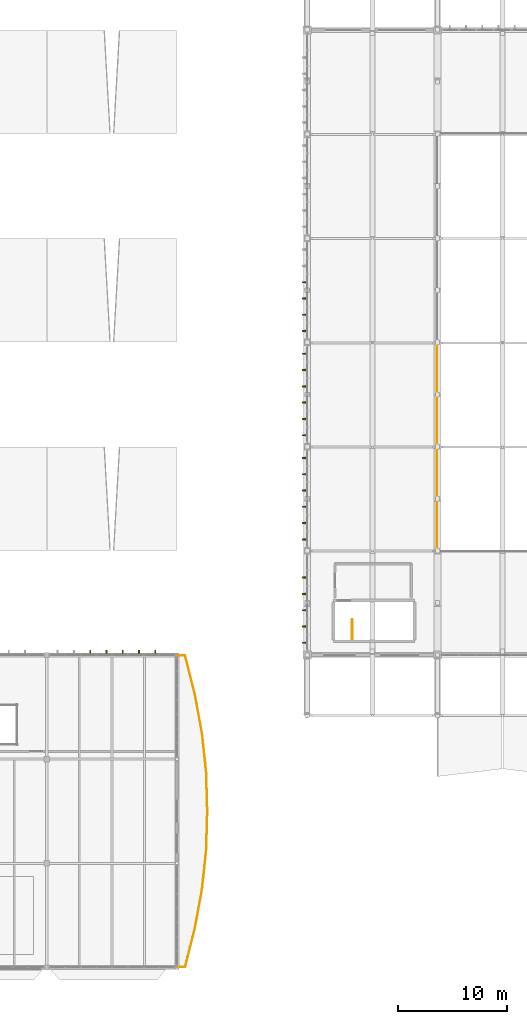
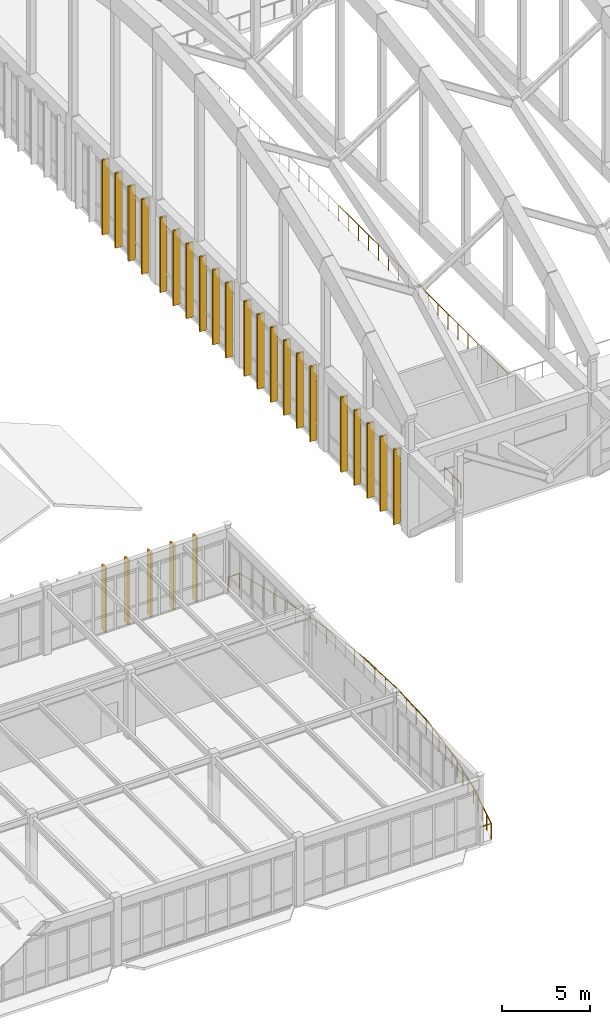
# One storey, part 226 of 236: 26 shading devices, 12 railings.
"""IFC4 building model written with IfcOpenShell, lengths in metres."""

import ifcopenshell
import ifcopenshell.guid

model = None  # the IFC model being written
_history = None  # IfcOwnerHistory: only IFC2X3 demands one
_inside = {}  # id of a spatial element -> (the spatial element, [elements in it])
_under = {}  # id of a project, library or spatial element -> (it, [spatial elements below it])
_declared = {}  # id of a project -> (the project, [libraries it declares])
_typed = {}  # id of a type object -> (the type object, [elements of that type])
_made_of = {}  # id of a material, layer set ... -> (it, [elements and type objects made of it])


def new_model(schema):
    """Start an empty IFC model of exactly this schema.

    Asked for "IFC4X3", IfcOpenShell would pick the latest addendum, in which some entities
    have other attributes; the version numbers below select the first issue.
    IFC2X3 requires an IfcOwnerHistory on every rooted entity: one is made here for all.
    """
    global model, _history
    if schema == "IFC4X3":
        model = ifcopenshell.file(schema_version=(4, 3, 0, 0))
    else:
        model = ifcopenshell.file(schema=schema)
    _inside.clear()
    _under.clear()
    _declared.clear()
    _typed.clear()
    _made_of.clear()
    _history = None
    if model.schema == "IFC2X3":
        org = make("IfcOrganization", Name="unknown")
        user = make(
            "IfcPersonAndOrganization",
            ThePerson=make("IfcPerson", FamilyName="unknown"),
            TheOrganization=org,
        )
        app = make(
            "IfcApplication",
            ApplicationDeveloper=org,
            Version="unknown",
            ApplicationFullName="unknown",
            ApplicationIdentifier="unknown",
        )
        _history = make(
            "IfcOwnerHistory",
            OwningUser=user,
            OwningApplication=app,
            ChangeAction="ADDED",
            CreationDate=0,
        )
    return model


def make(cls, **values):
    """One entity of the class cls with the attributes given. An attribute that is None is left unset."""
    return model.create_entity(
        cls, **{name: value for name, value in values.items() if value is not None}
    )


def rooted(cls, **values):
    """An entity with a GlobalId (a new one), such as an element, a storey or a relation."""
    return make(cls, GlobalId=ifcopenshell.guid.new(), OwnerHistory=_history, **values)


def si_unit(unit_type, name, prefix=None):
    """IfcSIUnit, for example si_unit("LENGTHUNIT", "METRE", prefix="MILLI")."""
    return make("IfcSIUnit", UnitType=unit_type, Prefix=prefix, Name=name)


def assignment(units):
    """IfcUnitAssignment: the units of a project."""
    return None if units is None else make("IfcUnitAssignment", Units=units)


def point(xyz):
    """IfcCartesianPoint."""
    return None if xyz is None else make("IfcCartesianPoint", Coordinates=xyz)


def direction(xyz):
    """IfcDirection."""
    return None if xyz is None else make("IfcDirection", DirectionRatios=xyz)


def frame(location, z_axis=None, x_axis=None):
    """IfcAxis2Placement3D, a coordinate frame: its origin and axes. An axis left out is left unset."""
    return make(
        "IfcAxis2Placement3D",
        Location=point(location),
        Axis=direction(z_axis),
        RefDirection=direction(x_axis),
    )


def frame_2d(location, x_axis=None):
    """IfcAxis2Placement2D, a coordinate frame in the plane: its origin and x axis."""
    return make(
        "IfcAxis2Placement2D", Location=point(location), RefDirection=direction(x_axis)
    )


def origin():
    """The frame at (0, 0, 0) with its axes left unset."""
    return frame((0.0, 0.0, 0.0))


def origin_2d():
    """The frame at (0, 0) in the plane with its x axis left unset."""
    return frame_2d((0.0, 0.0))


def place(relative_to, where):
    """IfcLocalPlacement: puts the frame where relative to a parent placement (None: the world)."""
    return make(
        "IfcLocalPlacement", PlacementRelTo=relative_to, RelativePlacement=where
    )


def context(
    kind, dimensions, precision=None, world=None, true_north=None, identifier=None
):
    """IfcGeometricRepresentationContext, for example the 3D "Model" context."""
    return make(
        "IfcGeometricRepresentationContext",
        ContextIdentifier=identifier,
        ContextType=kind,
        CoordinateSpaceDimension=dimensions,
        Precision=precision,
        WorldCoordinateSystem=world,
        TrueNorth=true_north,
    )


def subcontext(parent, identifier, kind, view, scale=None):
    """IfcGeometricRepresentationSubContext, for example "Body" below "Model"."""
    return make(
        "IfcGeometricRepresentationSubContext",
        ContextIdentifier=identifier,
        ContextType=kind,
        ParentContext=parent,
        TargetScale=scale,
        TargetView=view,
    )


def project(units=None, contexts=None):
    """IfcProject with its units and contexts."""
    return rooted(
        "IfcProject",
        Name="project",
        RepresentationContexts=contexts,
        UnitsInContext=assignment(units),
    )


def spatial(cls, under=None, at=None, **own):
    """A site, building, storey or space (cls), placed at a placement, below another one or the project."""
    s = rooted(cls, ObjectPlacement=at, **own)
    if under is not None:
        _under.setdefault(under.id(), (under, []))[1].append(s)
    return s


def profile(cls, at=None, kind="AREA", **sizes):
    """A parametric profile (cls). Its sizes go by their IFC names, for example OverallWidth=200.0."""
    return make(cls, ProfileType=kind, Position=at, **sizes)


def rectangle(**sizes):
    """IfcRectangleProfileDef."""
    return profile("IfcRectangleProfileDef", **sizes)


def circle(**sizes):
    """IfcCircleProfileDef."""
    return profile("IfcCircleProfileDef", **sizes)


def extrude(swept, where, along, depth):
    """IfcExtrudedAreaSolid: the profile swept, set in the frame where, extruded along a direction by depth."""
    return make(
        "IfcExtrudedAreaSolid",
        SweptArea=swept,
        Position=where,
        ExtrudedDirection=direction(along),
        Depth=depth,
    )


def shape(context_of_items, identifier, shape_type, items):
    """IfcShapeRepresentation: the items that make up one representation, for example the "Body"."""
    return make(
        "IfcShapeRepresentation",
        ContextOfItems=context_of_items,
        RepresentationIdentifier=identifier,
        RepresentationType=shape_type,
        Items=items,
    )


def material(Name=None, Category=None):
    """IfcMaterial."""
    return make("IfcMaterial", Name=Name, Category=Category)


def made_of(thing, what):
    """Note that an element or type object is made of a material, layer set ...; save() writes the relation."""
    if what is not None:
        _made_of.setdefault(what.id(), (what, []))[1].append(thing)
    return thing


def type_object(cls, material=None, **own):
    """A type object (cls), such as IfcWallType, which elements share."""
    return made_of(rooted(cls, **own), material)


def element(
    cls,
    number,
    at=None,
    inside=None,
    cuts=None,
    type_object=None,
    material=None,
    context=None,
    identifier="Body",
    shape_type=None,
    held_by="IfcProductDefinitionShape",
    body=None,
    shapes=None,
    **own,
):
    """One element of the class cls, such as IfcWall. Its Tag is "e" and its number.

    at: its placement. inside: the storey or other place that contains it. cuts: it is an
    opening in that element (IfcRelVoidsElement). A single representation is given by context,
    identifier, shape_type and body (its items); several are given by shapes. held_by: the class
    of the entity that holds the representations. save() writes the other relations.
    """
    e = rooted(cls, Tag="e%d" % number, ObjectPlacement=at, **own)
    if body is not None:
        shapes = [shape(context, identifier, shape_type, body)]
    if shapes is not None:
        e.Representation = make(held_by, Representations=shapes)
    if inside is not None:
        _inside.setdefault(inside.id(), (inside, []))[1].append(e)
    if cuts is not None:
        rooted(
            "IfcRelVoidsElement", RelatingBuildingElement=cuts, RelatedOpeningElement=e
        )
    if type_object is not None:
        _typed.setdefault(type_object.id(), (type_object, []))[1].append(e)
    return made_of(e, material)


def aggregate(whole, parts):
    """IfcRelAggregates: a whole, such as a stair, and the parts it consists of."""
    return rooted("IfcRelAggregates", RelatingObject=whole, RelatedObjects=parts)


def save(model, path):
    """Write the relations noted so far, then the file.

    IfcRelAggregates (storeys below a building ...), IfcRelContainedInSpatialStructure (elements
    in a storey), IfcRelDefinesByType, IfcRelAssociatesMaterial and IfcRelDeclares: one each for
    every whole, place, type object, material and project.
    """
    for whole, parts in _under.values():
        aggregate(whole, parts)
    for where, things in _inside.values():
        rooted(
            "IfcRelContainedInSpatialStructure",
            RelatedElements=things,
            RelatingStructure=where,
        )
    for kind, things in _typed.values():
        rooted("IfcRelDefinesByType", RelatedObjects=things, RelatingType=kind)
    for what, things in _made_of.values():
        rooted("IfcRelAssociatesMaterial", RelatedObjects=things, RelatingMaterial=what)
    for by, libraries in _declared.values():
        rooted("IfcRelDeclares", RelatingContext=by, RelatedDefinitions=libraries)
    model.write(path)


model = new_model("IFC4")

# Units and contexts
model_context = context("Model", 3, precision=1e-05, world=origin(), true_north=direction((0.0, 1.0)))
body_context = subcontext(model_context, "Body", "Model", "MODEL_VIEW")
ifc_project = project(units=[si_unit("LENGTHUNIT", "METRE"), si_unit("AREAUNIT", "SQUARE_METRE"), si_unit("VOLUMEUNIT", "CUBIC_METRE"), si_unit("PLANEANGLEUNIT", "RADIAN"), si_unit("MASSUNIT", "GRAM", prefix="KILO")], contexts=[model_context])

# Site, building, storey
site_placement = place(None, origin())
site = spatial("IfcSite", under=ifc_project, at=site_placement, CompositionType="ELEMENT")
building_placement = place(site_placement, origin())
building = spatial("IfcBuilding", under=site, at=building_placement, Name="Pandanus Reach Market Hall", CompositionType="ELEMENT")
storey_placement = place(building_placement, frame((0.0, 0.0, 5.39990234375)))
storey = spatial("IfcBuildingStorey", under=building, at=storey_placement, Name="L01", CompositionType="ELEMENT", Elevation=5.39990234375)

# Railings
ifc_material_1 = material(Name="Galvanised steel Grade 350 (350 MPa)", Category="steel")
railing_type_1 = type_object("IfcRailingType", Name="BL-EXT-110", PredefinedType="BALUSTRADE", material=ifc_material_1)
railing_1_placement = place(storey_placement, frame((36.005615234375, 0.0498046875, 0.0)))
element("IfcRailing", 1, at=railing_1_placement, inside=storey, type_object=railing_type_1, Name="Terrace balustrade L01.1", PredefinedType="BALUSTRADE", context=body_context, shape_type="SweptSolid", body=[
    extrude(circle(Radius=0.02392578125, at=origin_2d()), frame((0.0, 0.0, 1.076171875), z_axis=(1.0, 0.0, 0.0), x_axis=(0.0, 1.0, 0.0)), (0.0, 0.0, 1.0), 0.747314453125),
    extrude(circle(Radius=0.02099609375, at=origin_2d()), origin(), (0.0, 0.0, 1.0), 1.052001953125),
    extrude(circle(Radius=0.02099609375, at=origin_2d()), frame((0.747314453125, 0.0, 0.0)), (0.0, 0.0, 1.0), 1.052001953125),
])
railing_2_placement = place(storey_placement, frame((36.7529296875, 0.0498046875, 0.0)))
element("IfcRailing", 2, at=railing_2_placement, inside=storey, type_object=railing_type_1, Name="Terrace balustrade L01.2", PredefinedType="BALUSTRADE", context=body_context, shape_type="SweptSolid", body=[
    extrude(circle(Radius=0.02392578125, at=origin_2d()), frame((0.0, 0.0, 1.076171875), z_axis=(0.244793733361, 0.969575179193, 0.0), x_axis=(-0.969575179193, 0.244793733361, 0.0)), (0.0, 0.0, 1.0), 3.713134765625),
    extrude(circle(Radius=0.02099609375, at=origin_2d()), origin(), (0.0, 0.0, 1.0), 1.052001953125),
    extrude(circle(Radius=0.02099609375, at=origin_2d()), frame((0.227294921875, 0.89990234375, 0.0)), (0.0, 0.0, 1.0), 1.052001953125),
    extrude(circle(Radius=0.02099609375, at=origin_2d()), frame((0.45458984375, 1.800048828125, 0.0)), (0.0, 0.0, 1.0), 1.052001953125),
    extrude(circle(Radius=0.02099609375, at=origin_2d()), frame((0.681640625, 2.7001953125, 0.0)), (0.0, 0.0, 1.0), 1.052001953125),
    extrude(circle(Radius=0.02099609375, at=origin_2d()), frame((0.908935546875, 3.60009765625, 0.0)), (0.0, 0.0, 1.0), 1.052001953125),
])
railing_3_placement = place(storey_placement, frame((37.661865234375, 3.64990234375, 0.0)))
element("IfcRailing", 3, at=railing_3_placement, inside=storey, type_object=railing_type_1, Name="Terrace balustrade L01.3", PredefinedType="BALUSTRADE", context=body_context, shape_type="SweptSolid", body=[
    extrude(circle(Radius=0.02392578125, at=origin_2d()), frame((0.0, 0.0, 1.076171875), z_axis=(0.180118106141, 0.983644990756, 0.0), x_axis=(-0.983644990756, 0.180118106141, 0.0)), (0.0, 0.0, 1.0), 3.65966796875),
    extrude(circle(Radius=0.02099609375, at=origin_2d()), origin(), (0.0, 0.0, 1.0), 1.052001953125),
    extrude(circle(Radius=0.02099609375, at=origin_2d()), frame((0.164794921875, 0.89990234375, 0.0)), (0.0, 0.0, 1.0), 1.052001953125),
    extrude(circle(Radius=0.02099609375, at=origin_2d()), frame((0.32958984375, 1.7998046875, 0.0)), (0.0, 0.0, 1.0), 1.052001953125),
    extrude(circle(Radius=0.02099609375, at=origin_2d()), frame((0.494384765625, 2.699951171875, 0.0)), (0.0, 0.0, 1.0), 1.052001953125),
    extrude(circle(Radius=0.02099609375, at=origin_2d()), frame((0.6591796875, 3.599853515625, 0.0)), (0.0, 0.0, 1.0), 1.052001953125),
])
railing_4_placement = place(storey_placement, frame((38.321044921875, 7.249755859375, 0.0)))
element("IfcRailing", 4, at=railing_4_placement, inside=storey, type_object=railing_type_1, Name="Terrace balustrade L01.4", PredefinedType="BALUSTRADE", context=body_context, shape_type="SweptSolid", body=[
    extrude(circle(Radius=0.02392578125, at=origin_2d()), frame((0.0, 0.0, 1.076171875), z_axis=(0.105928000383, 0.994373802317, 0.0), x_axis=(-0.994373802317, 0.105928000383, 0.0)), (0.0, 0.0, 1.0), 3.618408203125),
    extrude(circle(Radius=0.02099609375, at=origin_2d()), origin(), (0.0, 0.0, 1.0), 1.052001953125),
    extrude(circle(Radius=0.02099609375, at=origin_2d()), frame((0.095703125, 0.8994140625, 0.0)), (0.0, 0.0, 1.0), 1.052001953125),
    extrude(circle(Radius=0.02099609375, at=origin_2d()), frame((0.191650390625, 1.799072265625, 0.0)), (0.0, 0.0, 1.0), 1.052001953125),
    extrude(circle(Radius=0.02099609375, at=origin_2d()), frame((0.28759765625, 2.69873046875, 0.0)), (0.0, 0.0, 1.0), 1.052001953125),
    extrude(circle(Radius=0.02099609375, at=origin_2d()), frame((0.38330078125, 3.59814453125, 0.0)), (0.0, 0.0, 1.0), 1.052001953125),
])
railing_5_placement = place(storey_placement, frame((38.704345703125, 10.847900390625, 0.0)))
element("IfcRailing", 5, at=railing_5_placement, inside=storey, type_object=railing_type_1, Name="Terrace balustrade L01.5", PredefinedType="BALUSTRADE", context=body_context, shape_type="SweptSolid", body=[
    extrude(circle(Radius=0.02392578125, at=origin_2d()), frame((0.0, 0.0, 1.076171875), z_axis=(0.026933658087, 0.999637223228, 0.0), x_axis=(-0.999637223228, 0.026933658087, 0.0)), (0.0, 0.0, 1.0), 3.55322265625),
    extrude(circle(Radius=0.02099609375, at=origin_2d()), origin(), (0.0, 0.0, 1.0), 1.052001953125),
    extrude(circle(Radius=0.02099609375, at=origin_2d()), frame((0.031982421875, 1.18408203125, 0.0)), (0.0, 0.0, 1.0), 1.052001953125),
    extrude(circle(Radius=0.02099609375, at=origin_2d()), frame((0.063720703125, 2.367919921875, 0.0)), (0.0, 0.0, 1.0), 1.052001953125),
    extrude(circle(Radius=0.02099609375, at=origin_2d()), frame((0.095703125, 3.552001953125, 0.0)), (0.0, 0.0, 1.0), 1.052001953125),
])
railing_6_placement = place(storey_placement, frame((38.800048828125, 14.39990234375, 0.0)))
element("IfcRailing", 6, at=railing_6_placement, inside=storey, type_object=railing_type_1, Name="Terrace balustrade L01.6", PredefinedType="BALUSTRADE", context=body_context, shape_type="SweptSolid", body=[
    extrude(circle(Radius=0.02392578125, at=origin_2d()), frame((0.0, 0.0, 1.076171875), z_axis=(-0.026931808319, 0.999637273065, 0.0), x_axis=(-0.999637273065, -0.026931808319, 0.0)), (0.0, 0.0, 1.0), 3.553466796875),
    extrude(circle(Radius=0.02099609375, at=origin_2d()), origin(), (0.0, 0.0, 1.0), 1.052001953125),
    extrude(circle(Radius=0.02099609375, at=origin_2d()), frame((-0.031982421875, 1.18408203125, 0.0)), (0.0, 0.0, 1.0), 1.052001953125),
    extrude(circle(Radius=0.02099609375, at=origin_2d()), frame((-0.063720703125, 2.3681640625, 0.0)), (0.0, 0.0, 1.0), 1.052001953125),
    extrude(circle(Radius=0.02099609375, at=origin_2d()), frame((-0.095703125, 3.55224609375, 0.0)), (0.0, 0.0, 1.0), 1.052001953125),
])
railing_7_placement = place(storey_placement, frame((38.704345703125, 17.9521484375, 0.0)))
element("IfcRailing", 7, at=railing_7_placement, inside=storey, type_object=railing_type_1, Name="Terrace balustrade L01.7", PredefinedType="BALUSTRADE", context=body_context, shape_type="SweptSolid", body=[
    extrude(circle(Radius=0.02392578125, at=origin_2d()), frame((0.0, 0.0, 1.076171875), z_axis=(-0.105928000383, 0.994373802317, 0.0), x_axis=(-0.994373802317, -0.105928000383, 0.0)), (0.0, 0.0, 1.0), 3.618408203125),
    extrude(circle(Radius=0.02099609375, at=origin_2d()), origin(), (0.0, 0.0, 1.0), 1.052001953125),
    extrude(circle(Radius=0.02099609375, at=origin_2d()), frame((-0.095703125, 0.8994140625, 0.0)), (0.0, 0.0, 1.0), 1.052001953125),
    extrude(circle(Radius=0.02099609375, at=origin_2d()), frame((-0.191650390625, 1.799072265625, 0.0)), (0.0, 0.0, 1.0), 1.052001953125),
    extrude(circle(Radius=0.02099609375, at=origin_2d()), frame((-0.28759765625, 2.69873046875, 0.0)), (0.0, 0.0, 1.0), 1.052001953125),
    extrude(circle(Radius=0.02099609375, at=origin_2d()), frame((-0.38330078125, 3.59814453125, 0.0)), (0.0, 0.0, 1.0), 1.052001953125),
])
railing_8_placement = place(storey_placement, frame((38.321044921875, 21.55029296875, 0.0)))
element("IfcRailing", 8, at=railing_8_placement, inside=storey, type_object=railing_type_1, Name="Terrace balustrade L01.8", PredefinedType="BALUSTRADE", context=body_context, shape_type="SweptSolid", body=[
    extrude(circle(Radius=0.02392578125, at=origin_2d()), frame((0.0, 0.0, 1.076171875), z_axis=(-0.180129926138, 0.983642826289, 0.0), x_axis=(-0.983642826289, -0.180129926138, 0.0)), (0.0, 0.0, 1.0), 3.659423828125),
    extrude(circle(Radius=0.02099609375, at=origin_2d()), origin(), (0.0, 0.0, 1.0), 1.052001953125),
    extrude(circle(Radius=0.02099609375, at=origin_2d()), frame((-0.164794921875, 0.89990234375, 0.0)), (0.0, 0.0, 1.0), 1.052001953125),
    extrude(circle(Radius=0.02099609375, at=origin_2d()), frame((-0.32958984375, 1.7998046875, 0.0)), (0.0, 0.0, 1.0), 1.052001953125),
    extrude(circle(Radius=0.02099609375, at=origin_2d()), frame((-0.494384765625, 2.69970703125, 0.0)), (0.0, 0.0, 1.0), 1.052001953125),
    extrude(circle(Radius=0.02099609375, at=origin_2d()), frame((-0.6591796875, 3.599609375, 0.0)), (0.0, 0.0, 1.0), 1.052001953125),
])
railing_9_placement = place(storey_placement, frame((37.661865234375, 25.14990234375, 0.0)))
element("IfcRailing", 9, at=railing_9_placement, inside=storey, type_object=railing_type_1, Name="Terrace balustrade L01.9", PredefinedType="BALUSTRADE", context=body_context, shape_type="SweptSolid", body=[
    extrude(circle(Radius=0.02392578125, at=origin_2d()), frame((0.0, 0.0, 1.076171875), z_axis=(-0.244793733361, 0.969575179193, 0.0), x_axis=(-0.969575179193, -0.244793733361, 0.0)), (0.0, 0.0, 1.0), 3.713134765625),
    extrude(circle(Radius=0.02099609375, at=origin_2d()), origin(), (0.0, 0.0, 1.0), 1.052001953125),
    extrude(circle(Radius=0.02099609375, at=origin_2d()), frame((-0.227294921875, 0.89990234375, 0.0)), (0.0, 0.0, 1.0), 1.052001953125),
    extrude(circle(Radius=0.02099609375, at=origin_2d()), frame((-0.45458984375, 1.800048828125, 0.0)), (0.0, 0.0, 1.0), 1.052001953125),
    extrude(circle(Radius=0.02099609375, at=origin_2d()), frame((-0.681640625, 2.7001953125, 0.0)), (0.0, 0.0, 1.0), 1.052001953125),
    extrude(circle(Radius=0.02099609375, at=origin_2d()), frame((-0.908935546875, 3.60009765625, 0.0)), (0.0, 0.0, 1.0), 1.052001953125),
])
railing_10_placement = place(storey_placement, frame((36.7529296875, 28.75, 0.0)))
element("IfcRailing", 10, at=railing_10_placement, inside=storey, type_object=railing_type_1, Name="Terrace balustrade L01.10", PredefinedType="BALUSTRADE", context=body_context, shape_type="SweptSolid", body=[
    extrude(circle(Radius=0.02392578125, at=origin_2d()), frame((0.0, 0.0, 1.076171875), z_axis=(-0.999999946637, 0.000326690607, 0.0), x_axis=(-0.000326690607, -0.999999946637, 0.0)), (0.0, 0.0, 1.0), 0.747314453125),
    extrude(circle(Radius=0.02099609375, at=origin_2d()), origin(), (0.0, 0.0, 1.0), 1.052001953125),
    extrude(circle(Radius=0.02099609375, at=origin_2d()), frame((-0.747314453125, 0.000244140625, 0.0)), (0.0, 0.0, 1.0), 1.052001953125),
])

# Shading devices
ifc_material_2 = material(Name="Precast concrete S50 (50 MPa)", Category="concrete")
shading_device_type = type_object("IfcShadingDeviceType", Name="FN-S50-450", PredefinedType="JALOUSIE", material=ifc_material_2)
for number, where, z_axis, x_axis, name in (
    (11, (47.780029296875, 29.925048828125, -0.009765625), (0.0, 0.0, 1.0), (-1.0, 0.0, 0.0), "Precast brise-soleil fin 69"),
    (12, (47.780029296875, 31.425048828125, -0.009765625), (0.0, 0.0, 1.0), (-1.0, 0.0, 0.0), "Precast brise-soleil fin 70"),
    (13, (47.780029296875, 32.925048828125, -0.009765625), (0.0, 0.0, 1.0), (-1.0, 0.0, 0.0), "Precast brise-soleil fin 71"),
    (14, (47.780029296875, 34.425048828125, -0.009765625), (0.0, 0.0, 1.0), (-1.0, 0.0, 0.0), "Precast brise-soleil fin 72"),
    (15, (47.780029296875, 35.925048828125, -0.009765625), (0.0, 0.0, 1.0), (-1.0, 0.0, 0.0), "Precast brise-soleil fin 73"),
    (16, (47.780029296875, 39.449951171875, -0.009765625), (0.0, 0.0, 1.0), (-1.0, 0.0, 0.0), "Precast brise-soleil fin 84"),
    (17, (47.780029296875, 40.949951171875, -0.009765625), (0.0, 0.0, 1.0), (-1.0, 0.0, 0.0), "Precast brise-soleil fin 85"),
    (18, (47.780029296875, 42.449951171875, -0.009765625), (0.0, 0.0, 1.0), (-1.0, 0.0, 0.0), "Precast brise-soleil fin 86"),
    (19, (47.780029296875, 43.949951171875, -0.009765625), (0.0, 0.0, 1.0), (-1.0, 0.0, 0.0), "Precast brise-soleil fin 87"),
    (20, (47.780029296875, 45.449951171875, -0.009765625), (0.0, 0.0, 1.0), (-1.0, 0.0, 0.0), "Precast brise-soleil fin 88"),
    (21, (47.780029296875, 46.949951171875, -0.009765625), (0.0, 0.0, 1.0), (-1.0, 0.0, 0.0), "Precast brise-soleil fin 89"),
    (22, (47.780029296875, 49.050048828125, -0.009765625), (0.0, 0.0, 1.0), (-1.0, 0.0, 0.0), "Precast brise-soleil fin 102"),
    (23, (47.780029296875, 50.550048828125, -0.009765625), (0.0, 0.0, 1.0), (-1.0, 0.0, 0.0), "Precast brise-soleil fin 103"),
    (24, (47.780029296875, 52.050048828125, -0.009765625), (0.0, 0.0, 1.0), (-1.0, 0.0, 0.0), "Precast brise-soleil fin 104"),
    (25, (47.780029296875, 53.550048828125, -0.009765625), (0.0, 0.0, 1.0), (-1.0, 0.0, 0.0), "Precast brise-soleil fin 105"),
    (26, (47.780029296875, 55.050048828125, -0.009765625), (0.0, 0.0, 1.0), (-1.0, 0.0, 0.0), "Precast brise-soleil fin 106"),
    (27, (47.780029296875, 56.550048828125, -0.009765625), (0.0, 0.0, 1.0), (-1.0, 0.0, 0.0), "Precast brise-soleil fin 107"),
    (28, (47.780029296875, 58.64990234375, -0.009765625), (0.0, 0.0, 1.0), (-1.0, 0.0, 0.0), "Precast brise-soleil fin 126"),
    (29, (47.780029296875, 60.14990234375, -0.009765625), (0.0, 0.0, 1.0), (-1.0, 0.0, 0.0), "Precast brise-soleil fin 127"),
    (30, (47.780029296875, 61.64990234375, -0.009765625), (0.0, 0.0, 1.0), (-1.0, 0.0, 0.0), "Precast brise-soleil fin 128"),
    (31, (47.780029296875, 63.14990234375, -0.009765625), (0.0, 0.0, 1.0), (-1.0, 0.0, 0.0), "Precast brise-soleil fin 129"),
):
    element("IfcShadingDevice", number, at=place(storey_placement, frame(where, z_axis=z_axis, x_axis=x_axis)), inside=storey, type_object=shading_device_type, Name=name, PredefinedType="JALOUSIE", context=body_context, shape_type="SweptSolid", body=[
        extrude(rectangle(XDim=0.449951171875, YDim=0.1201171875, at=origin_2d()), origin(), (0.0, 0.0, 1.0), 5.219970703125),
    ])
for number, where, z_axis, x_axis, name in (
    (32, (28.0, 29.02001953125, -0.010009765625), (0.0, 0.0, 1.0), (0.0, 1.0, 0.0), "Precast brise-soleil fin 230"),
    (33, (29.5, 29.02001953125, -0.010009765625), (0.0, 0.0, 1.0), (0.0, 1.0, 0.0), "Precast brise-soleil fin 231"),
    (34, (31.0, 29.02001953125, -0.010009765625), (0.0, 0.0, 1.0), (0.0, 1.0, 0.0), "Precast brise-soleil fin 232"),
    (35, (32.5, 29.02001953125, -0.010009765625), (0.0, 0.0, 1.0), (0.0, 1.0, 0.0), "Precast brise-soleil fin 233"),
    (36, (34.0, 29.02001953125, -0.010009765625), (0.0, 0.0, 1.0), (0.0, 1.0, 0.0), "Precast brise-soleil fin 234"),
):
    element("IfcShadingDevice", number, at=place(storey_placement, frame(where, z_axis=z_axis, x_axis=x_axis)), inside=storey, type_object=shading_device_type, Name=name, PredefinedType="JALOUSIE", context=body_context, shape_type="SweptSolid", body=[
        extrude(rectangle(XDim=0.449951171875, YDim=0.1201171875, at=origin_2d()), origin(), (0.0, 0.0, 1.0), 4.52001953125),
    ])

# Railings
railing_type_2 = type_object("IfcRailingType", Name="GR-INT-110", PredefinedType="GUARDRAIL", material=ifc_material_1)
railing_11_placement = place(storey_placement, frame((52.14990234375, 30.199951171875, 0.0)))
element("IfcRailing", 37, at=railing_11_placement, inside=storey, type_object=railing_type_2, Name="Stair well top guard ST-07.139", PredefinedType="GUARDRAIL", context=body_context, shape_type="SweptSolid", body=[
    extrude(circle(Radius=0.02392578125, at=origin_2d()), frame((0.0, 0.0, 1.076171875), z_axis=(0.0, 1.0, 0.0), x_axis=(-1.0, 0.0, 0.0)), (0.0, 0.0, 1.0), 1.85009765625),
    extrude(circle(Radius=0.02099609375, at=origin_2d()), origin(), (0.0, 0.0, 1.0), 1.052001953125),
    extrude(circle(Radius=0.02099609375, at=origin_2d()), frame((0.0, 0.925048828125, 0.0)), (0.0, 0.0, 1.0), 1.052001953125),
    extrude(circle(Radius=0.02099609375, at=origin_2d()), frame((0.0, 1.85009765625, 0.0)), (0.0, 0.0, 1.0), 1.052001953125),
])
railing_12_placement = place(storey_placement, frame((59.93994140625, 38.340087890625, 0.0)))
element("IfcRailing", 38, at=railing_12_placement, inside=storey, type_object=railing_type_2, Name="Market hall mezzanine balustrade 215", PredefinedType="GUARDRAIL", context=body_context, shape_type="SweptSolid", body=[
    extrude(circle(Radius=0.02392578125, at=origin_2d()), frame((0.0, 0.0, 1.076171875), z_axis=(0.0, 1.0, 0.0), x_axis=(-1.0, 0.0, 0.0)), (0.0, 0.0, 1.0), 19.260009765625),
    extrude(circle(Radius=0.02099609375, at=origin_2d()), origin(), (0.0, 0.0, 1.0), 1.052001953125),
    extrude(circle(Radius=0.02099609375, at=origin_2d()), frame((0.0, 1.133056640625, 0.0)), (0.0, 0.0, 1.0), 1.052001953125),
    extrude(circle(Radius=0.02099609375, at=origin_2d()), frame((0.0, 2.265869140625, 0.0)), (0.0, 0.0, 1.0), 1.052001953125),
    extrude(circle(Radius=0.02099609375, at=origin_2d()), frame((0.0, 3.39892578125, 0.0)), (0.0, 0.0, 1.0), 1.052001953125),
    extrude(circle(Radius=0.02099609375, at=origin_2d()), frame((0.0, 4.53173828125, 0.0)), (0.0, 0.0, 1.0), 1.052001953125),
    extrude(circle(Radius=0.02099609375, at=origin_2d()), frame((0.0, 5.664794921875, 0.0)), (0.0, 0.0, 1.0), 1.052001953125),
    extrude(circle(Radius=0.02099609375, at=origin_2d()), frame((0.0, 6.797607421875, 0.0)), (0.0, 0.0, 1.0), 1.052001953125),
    extrude(circle(Radius=0.02099609375, at=origin_2d()), frame((0.0, 7.9306640625, 0.0)), (0.0, 0.0, 1.0), 1.052001953125),
    extrude(circle(Radius=0.02099609375, at=origin_2d()), frame((0.0, 9.0634765625, 0.0)), (0.0, 0.0, 1.0), 1.052001953125),
    extrude(circle(Radius=0.02099609375, at=origin_2d()), frame((0.0, 10.196533203125, 0.0)), (0.0, 0.0, 1.0), 1.052001953125),
    extrude(circle(Radius=0.02099609375, at=origin_2d()), frame((0.0, 11.329345703125, 0.0)), (0.0, 0.0, 1.0), 1.052001953125),
    extrude(circle(Radius=0.02099609375, at=origin_2d()), frame((0.0, 12.46240234375, 0.0)), (0.0, 0.0, 1.0), 1.052001953125),
    extrude(circle(Radius=0.02099609375, at=origin_2d()), frame((0.0, 13.59521484375, 0.0)), (0.0, 0.0, 1.0), 1.052001953125),
    extrude(circle(Radius=0.02099609375, at=origin_2d()), frame((0.0, 14.728271484375, 0.0)), (0.0, 0.0, 1.0), 1.052001953125),
    extrude(circle(Radius=0.02099609375, at=origin_2d()), frame((0.0, 15.861083984375, 0.0)), (0.0, 0.0, 1.0), 1.052001953125),
    extrude(circle(Radius=0.02099609375, at=origin_2d()), frame((0.0, 16.994140625, 0.0)), (0.0, 0.0, 1.0), 1.052001953125),
    extrude(circle(Radius=0.02099609375, at=origin_2d()), frame((0.0, 18.126953125, 0.0)), (0.0, 0.0, 1.0), 1.052001953125),
    extrude(circle(Radius=0.02099609375, at=origin_2d()), frame((0.0, 19.260009765625, 0.0)), (0.0, 0.0, 1.0), 1.052001953125),
])

save(model, "model.ifc")
